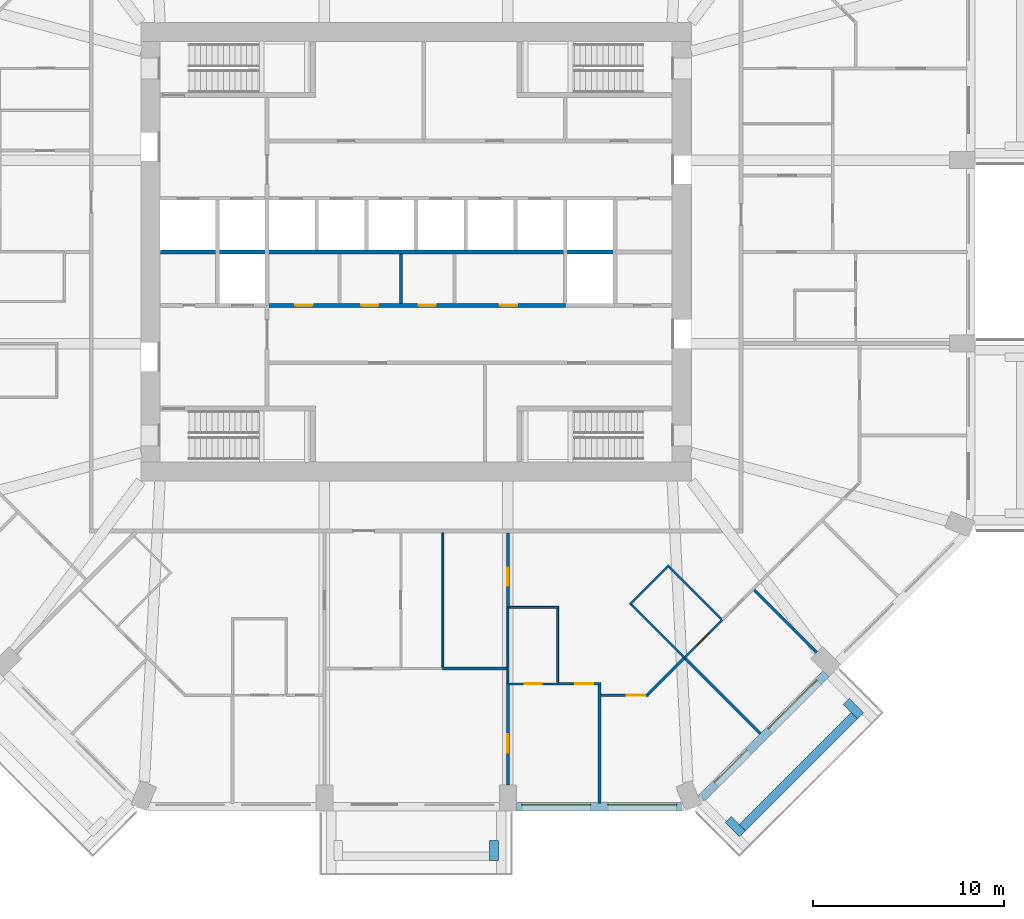
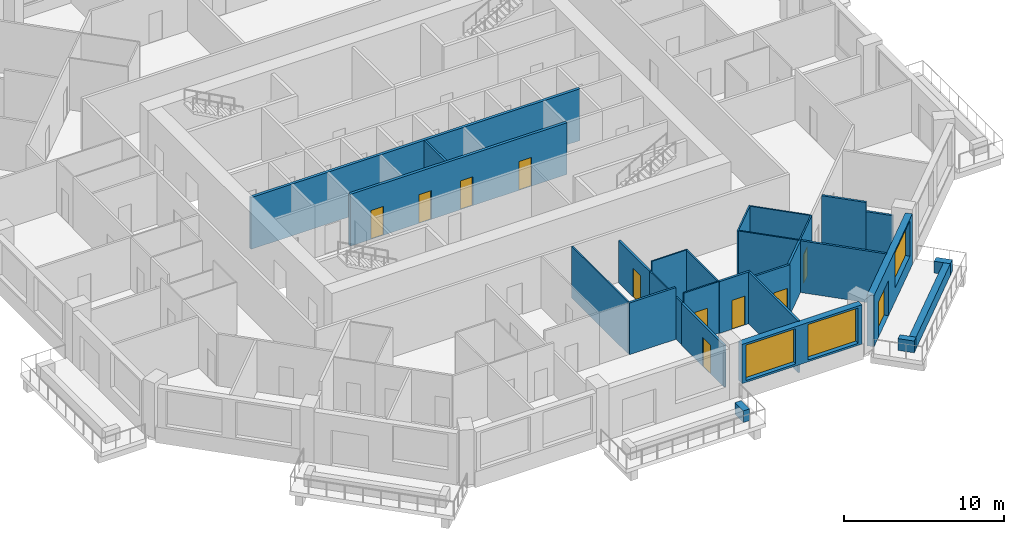
# One storey, part 5 of 13: 28 walls, 11 doors, 3 windows, 14 openings.
"""IFC4 building model written with IfcOpenShell, lengths in metres."""

from ifc_helpers import new_model, si_unit, direction, frame, frame_2d, origin, place, context, subcontext, project, spatial, rectangle, extrude, material, layer, layer_set, type_object, element, fill, save


model = new_model("IFC4")

# Units and contexts
model_context = context("Model", 3, precision=1e-05, world=origin(), true_north=direction((0.0, 1.0)))
body_context = subcontext(model_context, "Body", "Model", "MODEL_VIEW")
ifc_project = project(units=[si_unit("LENGTHUNIT", "METRE"), si_unit("AREAUNIT", "SQUARE_METRE"), si_unit("VOLUMEUNIT", "CUBIC_METRE"), si_unit("PLANEANGLEUNIT", "RADIAN"), si_unit("MASSUNIT", "GRAM", prefix="KILO")], contexts=[model_context])

# Site, building, storey
site_placement = place(None, origin())
site = spatial("IfcSite", under=ifc_project, at=site_placement, CompositionType="ELEMENT")
building_placement = place(site_placement, origin())
building = spatial("IfcBuilding", under=site, at=building_placement, Name="Msitu Wima Residences", CompositionType="ELEMENT")
storey_placement = place(building_placement, frame((0.0, 0.0, 59.10009765625)))
storey = spatial("IfcBuildingStorey", under=building, at=storey_placement, Name="L13", CompositionType="ELEMENT", Elevation=59.10009765625)

# Walls
ifc_material_1 = material(Name="Facing brick")
ifc_layer_1 = layer(ifc_material_1, 0.06494140625, Name="Facing brick")
ifc_material_2 = material(Name="Concrete C40/50", Category="concrete")
ifc_layer_2 = layer(ifc_material_2, 0.156005859375, Name="Concrete C40/50")
ifc_material_3 = material(Name="Waterproofing membrane")
ifc_layer_3 = layer(ifc_material_3, 0.00390625, Name="Waterproofing membrane")
ifc_material_4 = material(Name="Planting soil and planting")
ifc_layer_4 = layer(ifc_material_4, 0.22509765625, Name="Planting soil and planting")
ifc_layer_set_1 = layer_set([ifc_layer_1, ifc_layer_2, ifc_layer_3, ifc_layer_4], Name="Concrete C40/50")
wall_type_1 = type_object("IfcWallType", Name="Balcony planter PLANTER PL450", PredefinedType="USERDEFINED", material=ifc_layer_set_1)
wall_1_placement = place(storey_placement, frame((4.074951171875, -30.800048828125, 0.0), z_axis=(0.0, 0.0, 1.0), x_axis=(0.0, -1.0, 0.0)))
element("IfcWall", 1, at=wall_1_placement, inside=storey, type_object=wall_type_1, Name="Balcony planter S1 L13", ObjectType="PLANTER", PredefinedType="USERDEFINED", context=body_context, shape_type="SweptSolid", body=[
    extrude(rectangle(XDim=1.050048828125, YDim=0.449951171875, at=frame_2d((0.52490234375, 0.0))), origin(), (0.0, 0.0, 1.0), 0.89990234375),
])
wall_2_placement = place(storey_placement, frame((17.0693359375, -30.125732421875, 0.0), z_axis=(0.0, 0.0, 1.0), x_axis=(0.707106781187, 0.707106781187, 0.0)))
element("IfcWall", 2, at=wall_2_placement, inside=storey, type_object=wall_type_1, Name="Balcony planter SE0 L13", ObjectType="PLANTER", PredefinedType="USERDEFINED", context=body_context, shape_type="SweptSolid", body=[
    extrude(rectangle(XDim=8.2822265625, YDim=0.449951171875, at=frame_2d((4.14111328125, 0.0))), origin(), (0.0, 0.0, 1.0), 0.89990234375),
])
for number, where, z_axis, x_axis, name in (
    (3, (16.326904296875, -29.70166015625, 0.0), (0.0, 0.0, 1.0), (0.707106781187, -0.707106781187, 0.0), "Balcony planter SE0 L13"),
    (4, (22.50146484375, -23.52685546875, 0.0), (0.0, 0.0, 1.0), (0.707223014731, -0.706990528533, 0.0), "Balcony planter SE0 L13"),
):
    element("IfcWall", number, at=place(storey_placement, frame(where, z_axis=z_axis, x_axis=x_axis)), inside=storey, type_object=wall_type_1, Name=name, ObjectType="PLANTER", PredefinedType="USERDEFINED", context=body_context, shape_type="SweptSolid", body=[
        extrude(rectangle(XDim=1.050048828125, YDim=0.449951171875, at=frame_2d((0.52490234375, 0.0))), origin(), (0.0, 0.0, 1.0), 0.89990234375),
    ])

# Wall, openings, windows
ifc_material_5 = material(Name="Brick (red buff mix)", Category="masonry")
ifc_layer_5 = layer(ifc_material_5, 0.449951171875)
ifc_layer_set_2 = layer_set([ifc_layer_5], Name="Brick (red buff mix)")
wall_type_2 = type_object("IfcWallType", Name="Brick infill wall BW450", PredefinedType="SOLIDWALL", material=ifc_layer_set_2)
wall_3_placement = place(storey_placement, frame((5.25, -29.02490234375, 0.89990234375), z_axis=(0.0, 0.0, 1.0), x_axis=(1.0, 0.0, 0.0)))
wall_3 = element("IfcWall", 5, at=wall_3_placement, inside=storey, type_object=wall_type_2, Name="Brick infill wall L13 S2", PredefinedType="SOLIDWALL", context=body_context, shape_type="SweptSolid", body=[
    extrude(rectangle(XDim=8.662841796875, YDim=0.449951171875, at=frame_2d((4.33154296875, 0.0))), origin(), (0.0, 0.0, 1.0), 3.0),
])
opening_1_placement = place(wall_3_placement, frame((0.281494140625, 0.0, 0.14990234375)))
opening_1 = element("IfcOpeningElement", 6, at=opening_1_placement, cuts=wall_3, Name="Opening W13-15.019", PredefinedType="OPENING", context=body_context, shape_type="SweptSolid", body=[
    extrude(rectangle(XDim=3.60009765625, YDim=2.699951171875, at=frame_2d((1.800048828125, 1.35009765625))), frame((0.0, 0.23486328125, 0.0), z_axis=(0.0, -1.0, 0.0), x_axis=(1.0, 0.0, 0.0)), (0.0, 0.0, 1.0), 0.469970703125),
])
opening_2_placement = place(wall_3_placement, frame((4.781494140625, 0.0, 0.14990234375)))
opening_2 = element("IfcOpeningElement", 7, at=opening_2_placement, cuts=wall_3, Name="Opening W13-15.020", PredefinedType="OPENING", context=body_context, shape_type="SweptSolid", body=[
    extrude(rectangle(XDim=3.60009765625, YDim=2.699951171875, at=frame_2d((1.800048828125, 1.35009765625))), frame((0.0, 0.23486328125, 0.0), z_axis=(0.0, -1.0, 0.0), x_axis=(1.0, 0.0, 0.0)), (0.0, 0.0, 1.0), 0.469970703125),
])
ifc_material_6 = material(Name="Anodised aluminium, bronze finish, clear low-emissivity double glazing", Category="aluminium")
window_type = type_object("IfcWindowType", Name="Window W3600x2700", PartitioningType="DOUBLE_PANEL_VERTICAL", PredefinedType="WINDOW", material=ifc_material_6)
window_1_placement = place(opening_1_placement, origin())
window_1 = element("IfcWindow", 8, at=window_1_placement, inside=storey, type_object=window_type, Name="Window L13 S2.1", OverallHeight=2.699951171875, OverallWidth=3.60009765625, PartitioningType="SINGLE_PANEL", PredefinedType="WINDOW", context=body_context, shape_type="SweptSolid", body=[
    extrude(rectangle(XDim=3.60009765625, YDim=2.699951171875, at=frame_2d((1.800048828125, 1.35009765625))), frame((0.0, 0.135009765625, 0.0), z_axis=(0.0, -1.0, 0.0), x_axis=(1.0, 0.0, 0.0)), (0.0, 0.0, 1.0), 0.06005859375),
])
fill(opening_1, window_1)
window_2_placement = place(opening_2_placement, origin())
window_2 = element("IfcWindow", 9, at=window_2_placement, inside=storey, type_object=window_type, Name="Window L13 S2.2", OverallHeight=2.699951171875, OverallWidth=3.60009765625, PartitioningType="SINGLE_PANEL", PredefinedType="WINDOW", context=body_context, shape_type="SweptSolid", body=[
    extrude(rectangle(XDim=3.60009765625, YDim=2.699951171875, at=frame_2d((1.800048828125, 1.35009765625))), frame((0.0, 0.135009765625, 0.0), z_axis=(0.0, -1.0, 0.0), x_axis=(1.0, 0.0, 0.0)), (0.0, 0.0, 1.0), 0.06005859375),
])
fill(opening_2, window_2)

# Wall, openings, door, window
wall_4_placement = place(storey_placement, frame((14.903564453125, -28.61474609375, 0.0), z_axis=(0.0, 0.0, 1.0), x_axis=(0.707106781187, 0.707106781187, 0.0)))
wall_4 = element("IfcWall", 10, at=wall_4_placement, inside=storey, type_object=wall_type_2, Name="Brick infill wall L13 SE0", PredefinedType="SOLIDWALL", context=body_context, shape_type="SweptSolid", body=[
    extrude(rectangle(XDim=9.2451171875, YDim=0.449951171875, at=frame_2d((4.62255859375, 0.0))), origin(), (0.0, 0.0, 1.0), 3.89990234375),
])
opening_3_placement = place(wall_4_placement, frame((1.111328125, 0.0, 0.0)))
opening_3 = element("IfcOpeningElement", 11, at=opening_3_placement, cuts=wall_4, Name="Opening D13-15.007", PredefinedType="OPENING", context=body_context, shape_type="SweptSolid", body=[
    extrude(rectangle(XDim=2.39990234375, YDim=2.699951171875, at=frame_2d((1.199951171875, 1.35009765625))), frame((0.0, 0.23486328125, 0.0), z_axis=(0.0, -1.0, 0.0), x_axis=(1.0, 0.0, 0.0)), (0.0, 0.0, 1.0), 0.469970703125),
])
opening_4_placement = place(wall_4_placement, frame((5.072509765625, 0.0, 1.050048828125)))
opening_4 = element("IfcOpeningElement", 12, at=opening_4_placement, cuts=wall_4, Name="Opening W13-15.021", PredefinedType="OPENING", context=body_context, shape_type="SweptSolid", body=[
    extrude(rectangle(XDim=3.60009765625, YDim=2.699951171875, at=frame_2d((1.800048828125, 1.35009765625))), frame((0.0, 0.23486328125, 0.0), z_axis=(0.0, -1.0, 0.0), x_axis=(1.0, 0.0, 0.0)), (0.0, 0.0, 1.0), 0.469970703125),
])
door_type_1 = type_object("IfcDoorType", Name="Balcony door D2400x2700", OperationType="SLIDING_TO_LEFT", PredefinedType="DOOR", material=ifc_material_6)
door_1_placement = place(opening_3_placement, origin())
door_1 = element("IfcDoor", 13, at=door_1_placement, inside=storey, type_object=door_type_1, Name="Balcony door L13 SE0", OperationType="SINGLE_SWING_LEFT", OverallHeight=2.699951171875, OverallWidth=2.39990234375, PredefinedType="DOOR", context=body_context, shape_type="SweptSolid", body=[
    extrude(rectangle(XDim=2.39990234375, YDim=2.699951171875, at=frame_2d((1.199951171875, 1.35009765625))), frame((0.0, 0.1298828125, 0.0), z_axis=(0.0, -1.0, 0.0), x_axis=(1.0, 0.0, 0.0)), (0.0, 0.0, 1.0), 0.050048828125),
])
fill(opening_3, door_1)
window_3_placement = place(opening_4_placement, origin())
window_3 = element("IfcWindow", 14, at=window_3_placement, inside=storey, type_object=window_type, Name="Window L13 SE0.2", OverallHeight=2.699951171875, OverallWidth=3.60009765625, PartitioningType="SINGLE_PANEL", PredefinedType="WINDOW", context=body_context, shape_type="SweptSolid", body=[
    extrude(rectangle(XDim=3.60009765625, YDim=2.699951171875, at=frame_2d((1.800048828125, 1.35009765625))), frame((0.0, 0.135009765625, 0.0), z_axis=(0.0, -1.0, 0.0), x_axis=(1.0, 0.0, 0.0)), (0.0, 0.0, 1.0), 0.06005859375),
])
fill(opening_4, window_3)

# Wall, openings, doors
ifc_material_7 = material(Name="Plaster")
ifc_layer_6 = layer(ifc_material_7, 0.011962890625, Name="Plaster")
ifc_material_8 = material(Name="Concrete blockwork", Category="masonry")
ifc_layer_7 = layer(ifc_material_8, 0.176025390625, Name="Concrete blockwork")
ifc_layer_8 = layer(ifc_material_7, 0.011962890625, Name="Plaster")
ifc_layer_set_3 = layer_set([ifc_layer_6, ifc_layer_7, ifc_layer_8], Name="Concrete blockwork")
wall_type_3 = type_object("IfcWallType", Name="Corridor wall FW200", PredefinedType="PARTITIONING", material=ifc_layer_set_3)
wall_5_placement = place(storey_placement, frame((-7.820068359375, -2.800048828125, 0.0), z_axis=(0.0, 0.0, 1.0), x_axis=(1.0, 0.0, 0.0)))
wall_5 = element("IfcWall", 15, at=wall_5_placement, inside=storey, type_object=wall_type_3, Name="Corridor wall", PredefinedType="PARTITIONING", context=body_context, shape_type="SweptSolid", body=[
    extrude(rectangle(XDim=15.64013671875, YDim=0.199951171875, at=frame_2d((7.820068359375, 0.0))), origin(), (0.0, 0.0, 1.0), 3.949951171875),
])
opening_5_placement = place(wall_5_placement, frame((1.5, 0.0, 0.0)))
opening_5 = element("IfcOpeningElement", 16, at=opening_5_placement, cuts=wall_5, Name="Opening D13-15.028", PredefinedType="OPENING", context=body_context, shape_type="SweptSolid", body=[
    extrude(rectangle(XDim=0.89990234375, YDim=2.199951171875, at=frame_2d((0.449951171875, 1.10009765625))), frame((0.0, 0.10986328125, 0.0), z_axis=(0.0, -1.0, 0.0), x_axis=(1.0, 0.0, 0.0)), (0.0, 0.0, 1.0), 0.219970703125),
])
opening_6_placement = place(wall_5_placement, frame((4.949951171875, 0.0, 0.0)))
opening_6 = element("IfcOpeningElement", 17, at=opening_6_placement, cuts=wall_5, Name="Opening D13-15.029", PredefinedType="OPENING", context=body_context, shape_type="SweptSolid", body=[
    extrude(rectangle(XDim=0.89990234375, YDim=2.199951171875, at=frame_2d((0.449951171875, 1.10009765625))), frame((0.0, 0.10986328125, 0.0), z_axis=(0.0, -1.0, 0.0), x_axis=(1.0, 0.0, 0.0)), (0.0, 0.0, 1.0), 0.219970703125),
])
opening_7_placement = place(wall_5_placement, frame((7.949951171875, 0.0, 0.0)))
opening_7 = element("IfcOpeningElement", 18, at=opening_7_placement, cuts=wall_5, Name="Opening D13-15.030", PredefinedType="OPENING", context=body_context, shape_type="SweptSolid", body=[
    extrude(rectangle(XDim=0.89990234375, YDim=2.199951171875, at=frame_2d((0.449951171875, 1.10009765625))), frame((0.0, 0.10986328125, 0.0), z_axis=(0.0, -1.0, 0.0), x_axis=(1.0, 0.0, 0.0)), (0.0, 0.0, 1.0), 0.219970703125),
])
opening_8_placement = place(wall_5_placement, frame((12.199951171875, 0.0, 0.0)))
opening_8 = element("IfcOpeningElement", 19, at=opening_8_placement, cuts=wall_5, Name="Opening D13-15.031", PredefinedType="OPENING", context=body_context, shape_type="SweptSolid", body=[
    extrude(rectangle(XDim=0.89990234375, YDim=2.199951171875, at=frame_2d((0.449951171875, 1.10009765625))), frame((0.0, 0.10986328125, 0.0), z_axis=(0.0, -1.0, 0.0), x_axis=(1.0, 0.0, 0.0)), (0.0, 0.0, 1.0), 0.219970703125),
])
ifc_material_9 = material(Name="Timber flush door", Category="wood")
door_type_2 = type_object("IfcDoorType", Name="Service door D05 900x2200", OperationType="SINGLE_SWING_LEFT", PredefinedType="DOOR", material=ifc_material_9)
door_2_placement = place(opening_5_placement, origin())
door_2 = element("IfcDoor", 20, at=door_2_placement, inside=storey, type_object=door_type_2, Name="Service door", OperationType="SINGLE_SWING_RIGHT", OverallHeight=2.199951171875, OverallWidth=0.89990234375, PredefinedType="DOOR", context=body_context, shape_type="SweptSolid", body=[
    extrude(rectangle(XDim=0.89990234375, YDim=2.199951171875, at=frame_2d((0.449951171875, 1.10009765625))), frame((0.0, 0.02490234375, 0.0), z_axis=(0.0, -1.0, 0.0), x_axis=(1.0, 0.0, 0.0)), (0.0, 0.0, 1.0), 0.050048828125),
])
fill(opening_5, door_2)
door_3_placement = place(opening_6_placement, origin())
door_3 = element("IfcDoor", 21, at=door_3_placement, inside=storey, type_object=door_type_2, Name="Service door", OperationType="SINGLE_SWING_LEFT", OverallHeight=2.199951171875, OverallWidth=0.89990234375, PredefinedType="DOOR", context=body_context, shape_type="SweptSolid", body=[
    extrude(rectangle(XDim=0.89990234375, YDim=2.199951171875, at=frame_2d((0.449951171875, 1.10009765625))), frame((0.0, 0.02490234375, 0.0), z_axis=(0.0, -1.0, 0.0), x_axis=(1.0, 0.0, 0.0)), (0.0, 0.0, 1.0), 0.050048828125),
])
fill(opening_6, door_3)
door_4_placement = place(opening_7_placement, origin())
door_4 = element("IfcDoor", 22, at=door_4_placement, inside=storey, type_object=door_type_2, Name="Service door", OperationType="SINGLE_SWING_LEFT", OverallHeight=2.199951171875, OverallWidth=0.89990234375, PredefinedType="DOOR", context=body_context, shape_type="SweptSolid", body=[
    extrude(rectangle(XDim=0.89990234375, YDim=2.199951171875, at=frame_2d((0.449951171875, 1.10009765625))), frame((0.0, 0.02490234375, 0.0), z_axis=(0.0, -1.0, 0.0), x_axis=(1.0, 0.0, 0.0)), (0.0, 0.0, 1.0), 0.050048828125),
])
fill(opening_7, door_4)
door_5_placement = place(opening_8_placement, origin())
door_5 = element("IfcDoor", 23, at=door_5_placement, inside=storey, type_object=door_type_2, Name="Service door", OperationType="SINGLE_SWING_LEFT", OverallHeight=2.199951171875, OverallWidth=0.89990234375, PredefinedType="DOOR", context=body_context, shape_type="SweptSolid", body=[
    extrude(rectangle(XDim=0.89990234375, YDim=2.199951171875, at=frame_2d((0.449951171875, 1.10009765625))), frame((0.0, 0.02490234375, 0.0), z_axis=(0.0, -1.0, 0.0), x_axis=(1.0, 0.0, 0.0)), (0.0, 0.0, 1.0), 0.050048828125),
])
fill(opening_8, door_5)

# Walls
ifc_layer_9 = layer(ifc_material_7, 0.011962890625, Name="Plaster")
ifc_layer_10 = layer(ifc_material_8, 0.1259765625, Name="Concrete blockwork")
ifc_layer_11 = layer(ifc_material_7, 0.011962890625, Name="Plaster")
ifc_layer_set_4 = layer_set([ifc_layer_9, ifc_layer_10, ifc_layer_11], Name="Concrete blockwork")
wall_type_4 = type_object("IfcWallType", Name="Partition PW150", PredefinedType="PARTITIONING", material=ifc_layer_set_4)
wall_6_placement = place(storey_placement, frame((-0.800048828125, -2.699951171875, 0.0), z_axis=(0.0, 0.0, 1.0), x_axis=(0.0, 1.0, 0.0)))
element("IfcWall", 24, at=wall_6_placement, inside=storey, type_object=wall_type_4, Name="Partition", PredefinedType="PARTITIONING", context=body_context, shape_type="SweptSolid", body=[
    extrude(rectangle(XDim=2.599853515625, YDim=0.14990234375, at=frame_2d((1.2998046875, 0.0))), origin(), (0.0, 0.0, 1.0), 3.949951171875),
])
wall_7_placement = place(storey_placement, frame((1.3798828125, -21.800048828125, 0.0), z_axis=(0.0, 0.0, 1.0), x_axis=(1.0, 0.0, 0.0)))
element("IfcWall", 25, at=wall_7_placement, inside=storey, type_object=wall_type_4, Name="Partition", PredefinedType="PARTITIONING", context=body_context, shape_type="SweptSolid", body=[
    extrude(rectangle(XDim=3.3701171875, YDim=0.14990234375, at=frame_2d((1.68505859375, 0.0))), origin(), (0.0, 0.0, 1.0), 3.949951171875),
])

# Wall, opening, door
wall_8_placement = place(storey_placement, frame((4.800048828125, -27.89990234375, 0.0), z_axis=(0.0, 0.0, 1.0), x_axis=(0.0, 1.0, 0.0)))
wall_8 = element("IfcWall", 26, at=wall_8_placement, inside=storey, type_object=wall_type_4, Name="Partition", PredefinedType="PARTITIONING", context=body_context, shape_type="SweptSolid", body=[
    extrude(rectangle(XDim=5.31982421875, YDim=0.14990234375, at=frame_2d((2.659912109375, 0.0))), origin(), (0.0, 0.0, 1.0), 3.199951171875),
])
opening_9_placement = place(wall_8_placement, frame((1.699951171875, 0.0, 0.0)))
opening_9 = element("IfcOpeningElement", 27, at=opening_9_placement, cuts=wall_8, Name="Opening D13-15.074", PredefinedType="OPENING", context=body_context, shape_type="SweptSolid", body=[
    extrude(rectangle(XDim=0.949951171875, YDim=2.199951171875, at=frame_2d((0.47509765625, 1.10009765625))), frame((0.0, 0.0849609375, 0.0), z_axis=(0.0, -1.0, 0.0), x_axis=(1.0, 0.0, 0.0)), (0.0, 0.0, 1.0), 0.169921875),
])
door_type_3 = type_object("IfcDoorType", Name="Room door D12 950x2200", OperationType="SINGLE_SWING_LEFT", PredefinedType="DOOR", material=ifc_material_9)
door_6_placement = place(opening_9_placement, origin())
door_6 = element("IfcDoor", 28, at=door_6_placement, inside=storey, type_object=door_type_3, Name="Room door", OperationType="SINGLE_SWING_LEFT", OverallHeight=2.199951171875, OverallWidth=0.949951171875, PredefinedType="DOOR", context=body_context, shape_type="SweptSolid", body=[
    extrude(rectangle(XDim=0.949951171875, YDim=2.199951171875, at=frame_2d((0.47509765625, 1.10009765625))), frame((0.0, 0.02490234375, 0.0), z_axis=(0.0, -1.0, 0.0), x_axis=(1.0, 0.0, 0.0)), (0.0, 0.0, 1.0), 0.050048828125),
])
fill(opening_9, door_6)

wall_9_placement = place(storey_placement, frame((4.800048828125, -18.580078125, 0.0), z_axis=(0.0, 0.0, 1.0), x_axis=(0.0, 1.0, 0.0)))
wall_9 = element("IfcWall", 29, at=wall_9_placement, inside=storey, type_object=wall_type_4, Name="Partition", PredefinedType="PARTITIONING", context=body_context, shape_type="SweptSolid", body=[
    extrude(rectangle(XDim=3.880126953125, YDim=0.14990234375, at=frame_2d((1.93994140625, 0.0))), origin(), (0.0, 0.0, 1.0), 3.199951171875),
])
opening_10_placement = place(wall_9_placement, frame((1.10009765625, 0.0, 0.0)))
opening_10 = element("IfcOpeningElement", 30, at=opening_10_placement, cuts=wall_9, Name="Opening D13-15.080", PredefinedType="OPENING", context=body_context, shape_type="SweptSolid", body=[
    extrude(rectangle(XDim=0.949951171875, YDim=2.199951171875, at=frame_2d((0.47509765625, 1.10009765625))), frame((0.0, 0.0849609375, 0.0), z_axis=(0.0, -1.0, 0.0), x_axis=(1.0, 0.0, 0.0)), (0.0, 0.0, 1.0), 0.169921875),
])
door_7_placement = place(opening_10_placement, origin())
door_7 = element("IfcDoor", 31, at=door_7_placement, inside=storey, type_object=door_type_3, Name="Room door", OperationType="SINGLE_SWING_RIGHT", OverallHeight=2.199951171875, OverallWidth=0.949951171875, PredefinedType="DOOR", context=body_context, shape_type="SweptSolid", body=[
    extrude(rectangle(XDim=0.949951171875, YDim=2.199951171875, at=frame_2d((0.47509765625, 1.10009765625))), frame((0.0, 0.02490234375, 0.0), z_axis=(0.0, -1.0, 0.0), x_axis=(1.0, 0.0, 0.0)), (0.0, 0.0, 1.0), 0.050048828125),
])
fill(opening_10, door_7)

wall_10_placement = place(storey_placement, frame((7.419921875, -22.60009765625, 0.0), z_axis=(0.0, 0.0, 1.0), x_axis=(1.0, 0.0, 0.0)))
wall_10 = element("IfcWall", 32, at=wall_10_placement, inside=storey, type_object=wall_type_4, Name="Partition", PredefinedType="PARTITIONING", context=body_context, shape_type="SweptSolid", body=[
    extrude(rectangle(XDim=2.255126953125, YDim=0.14990234375, at=frame_2d((1.12744140625, 0.0))), origin(), (0.0, 0.0, 1.0), 3.949951171875),
])
opening_11_placement = place(wall_10_placement, frame((0.89990234375, 0.0, 0.0)))
opening_11 = element("IfcOpeningElement", 33, at=opening_11_placement, cuts=wall_10, Name="Opening D13-15.076", PredefinedType="OPENING", context=body_context, shape_type="SweptSolid", body=[
    extrude(rectangle(XDim=0.949951171875, YDim=2.199951171875, at=frame_2d((0.47509765625, 1.10009765625))), frame((0.0, 0.0849609375, 0.0), z_axis=(0.0, -1.0, 0.0), x_axis=(1.0, 0.0, 0.0)), (0.0, 0.0, 1.0), 0.169921875),
])
door_8_placement = place(opening_11_placement, origin())
door_8 = element("IfcDoor", 34, at=door_8_placement, inside=storey, type_object=door_type_3, Name="Room door", OperationType="SINGLE_SWING_LEFT", OverallHeight=2.199951171875, OverallWidth=0.949951171875, PredefinedType="DOOR", context=body_context, shape_type="SweptSolid", body=[
    extrude(rectangle(XDim=0.949951171875, YDim=2.199951171875, at=frame_2d((0.47509765625, 1.10009765625))), frame((0.0, 0.02490234375, 0.0), z_axis=(0.0, -1.0, 0.0), x_axis=(1.0, 0.0, 0.0)), (0.0, 0.0, 1.0), 0.050048828125),
])
fill(opening_11, door_8)

# Wall
wall_11_placement = place(storey_placement, frame((9.60009765625, -28.85498046875, 0.0), z_axis=(0.0, 0.0, 1.0), x_axis=(0.0, 1.0, 0.0)))
element("IfcWall", 35, at=wall_11_placement, inside=storey, type_object=wall_type_4, Name="Partition", PredefinedType="PARTITIONING", context=body_context, shape_type="SweptSolid", body=[
    extrude(rectangle(XDim=6.179931640625, YDim=0.14990234375, at=frame_2d((3.08984375, 0.0))), origin(), (0.0, 0.0, 1.0), 3.949951171875),
])

# Wall, opening, door
wall_12_placement = place(storey_placement, frame((9.675048828125, -23.199951171875, 0.0), z_axis=(0.0, 0.0, 1.0), x_axis=(1.0, 0.0, 0.0)))
wall_12 = element("IfcWall", 36, at=wall_12_placement, inside=storey, type_object=wall_type_4, Name="Partition", PredefinedType="PARTITIONING", context=body_context, shape_type="SweptSolid", body=[
    extrude(rectangle(XDim=2.48046875, YDim=0.14990234375, at=frame_2d((1.240234375, 0.0))), origin(), (0.0, 0.0, 1.0), 3.949951171875),
])
opening_12_placement = place(wall_12_placement, frame((1.35009765625, 0.0, 0.0)))
opening_12 = element("IfcOpeningElement", 37, at=opening_12_placement, cuts=wall_12, Name="Opening D13-15.084", PredefinedType="OPENING", context=body_context, shape_type="SweptSolid", body=[
    extrude(rectangle(XDim=0.949951171875, YDim=2.199951171875, at=frame_2d((0.47509765625, 1.10009765625))), frame((0.0, 0.0849609375, 0.0), z_axis=(0.0, -1.0, 0.0), x_axis=(1.0, 0.0, 0.0)), (0.0, 0.0, 1.0), 0.169921875),
])
door_9_placement = place(opening_12_placement, origin())
door_9 = element("IfcDoor", 38, at=door_9_placement, inside=storey, type_object=door_type_3, Name="Room door", OperationType="SINGLE_SWING_RIGHT", OverallHeight=2.199951171875, OverallWidth=0.949951171875, PredefinedType="DOOR", context=body_context, shape_type="SweptSolid", body=[
    extrude(rectangle(XDim=0.949951171875, YDim=2.199951171875, at=frame_2d((0.47509765625, 1.10009765625))), frame((0.0, 0.02490234375, 0.0), z_axis=(0.0, -1.0, 0.0), x_axis=(1.0, 0.0, 0.0)), (0.0, 0.0, 1.0), 0.050048828125),
])
fill(opening_12, door_9)

# Walls
wall_13_placement = place(storey_placement, frame((12.133544921875, -23.14697265625, 0.0), z_axis=(0.0, 0.0, 1.0), x_axis=(0.707106781187, 0.707106781187, 0.0)))
element("IfcWall", 39, at=wall_13_placement, inside=storey, type_object=wall_type_4, Name="Partition", PredefinedType="PARTITIONING", context=body_context, shape_type="SweptSolid", body=[
    extrude(rectangle(XDim=2.696533203125, YDim=0.14990234375, at=frame_2d((1.34814453125, 0.0))), origin(), (0.0, 0.0, 1.0), 3.949951171875),
])
wall_14_placement = place(storey_placement, frame((14.026123046875, -21.22607421875, 0.0), z_axis=(0.0, 0.0, 1.0), x_axis=(0.707085156134, -0.707128405578, 0.0)))
element("IfcWall", 40, at=wall_14_placement, inside=storey, type_object=wall_type_4, Name="Partition", PredefinedType="PARTITIONING", context=body_context, shape_type="SweptSolid", body=[
    extrude(rectangle(XDim=5.64501953125, YDim=0.14990234375, at=frame_2d((2.822509765625, 0.0))), origin(), (0.0, 0.0, 1.0), 3.949951171875),
])
wall_15_placement = place(storey_placement, frame((17.693115234375, -17.693115234375, 0.0), z_axis=(0.0, 0.0, 1.0), x_axis=(0.707106781187, -0.707106781187, 0.0)))
element("IfcWall", 41, at=wall_15_placement, inside=storey, type_object=wall_type_4, Name="Partition", PredefinedType="PARTITIONING", context=body_context, shape_type="SweptSolid", body=[
    extrude(rectangle(XDim=2.876708984375, YDim=0.14990234375, at=frame_2d((1.4384765625, 0.0))), origin(), (0.0, 0.0, 1.0), 3.949951171875),
])
wall_16_placement = place(storey_placement, frame((19.727294921875, -19.727294921875, 0.0), z_axis=(0.0, 0.0, 1.0), x_axis=(0.707106781187, -0.707106781187, 0.0)))
element("IfcWall", 42, at=wall_16_placement, inside=storey, type_object=wall_type_4, Name="Partition", PredefinedType="PARTITIONING", context=body_context, shape_type="SweptSolid", body=[
    extrude(rectangle(XDim=1.74853515625, YDim=0.14990234375, at=frame_2d((0.874267578125, 0.0))), origin(), (0.0, 0.0, 1.0), 3.25),
])
ifc_material_10 = material(Name="Fire-rated board")
ifc_layer_12 = layer(ifc_material_10, 0.02490234375, Name="Fire-rated board")
ifc_material_11 = material(Name="Light-gauge stud framing with mineral wool")
ifc_layer_13 = layer(ifc_material_11, 0.14990234375, Name="Light-gauge stud framing with mineral wool")
ifc_layer_14 = layer(ifc_material_10, 0.02490234375, Name="Fire-rated board")
ifc_layer_set_5 = layer_set([ifc_layer_12, ifc_layer_13, ifc_layer_14], Name="Light-gauge stud framing with mineral wool")
wall_type_5 = type_object("IfcWallType", Name="Shaft wall SH200", PredefinedType="PARTITIONING", material=ifc_layer_set_5)
wall_17_placement = place(storey_placement, frame((-13.3701171875, 0.0, 0.0), z_axis=(0.0, 0.0, 1.0), x_axis=(1.0, 0.0, 0.0)))
element("IfcWall", 43, at=wall_17_placement, inside=storey, type_object=wall_type_5, Name="Shaft wall", PredefinedType="PARTITIONING", context=body_context, shape_type="SweptSolid", body=[
    extrude(rectangle(XDim=23.77001953125, YDim=0.199951171875, at=frame_2d((11.885009765625, 0.0))), origin(), (0.0, 0.0, 1.0), 3.949951171875),
])
ifc_material_12 = material(Name="Ceramic tiles")
ifc_layer_15 = layer(ifc_material_12, 0.008056640625, Name="Ceramic tiles")
ifc_material_13 = material(Name="Moisture-resistant board")
ifc_layer_16 = layer(ifc_material_13, 0.012451171875, Name="Moisture-resistant board")
ifc_layer_17 = layer(ifc_material_11, 0.06689453125, Name="Light-gauge stud framing with mineral wool")
ifc_layer_18 = layer(ifc_material_13, 0.012451171875, Name="Moisture-resistant board")
ifc_layer_set_6 = layer_set([ifc_layer_15, ifc_layer_16, ifc_layer_17, ifc_layer_18], Name="Light-gauge stud framing with mineral wool")
wall_type_6 = type_object("IfcWallType", Name="Wet wall PW100", PredefinedType="PARTITIONING", material=ifc_layer_set_6)
wall_18_placement = place(storey_placement, frame((1.39990234375, -21.72509765625, 0.0), z_axis=(0.0, 0.0, 1.0), x_axis=(0.0, 1.0, 0.0)))
element("IfcWall", 44, at=wall_18_placement, inside=storey, type_object=wall_type_6, Name="Wet wall", PredefinedType="PARTITIONING", context=body_context, shape_type="SweptSolid", body=[
    extrude(rectangle(XDim=7.025146484375, YDim=0.10009765625, at=frame_2d((3.5126953125, 0.0))), origin(), (0.0, 0.0, 1.0), 3.949951171875),
])
wall_19_placement = place(storey_placement, frame((4.800048828125, -22.580078125, 0.0), z_axis=(0.0, 0.0, 1.0), x_axis=(0.0, 1.0, 0.0)))
element("IfcWall", 45, at=wall_19_placement, inside=storey, type_object=wall_type_6, Name="Wet wall", PredefinedType="PARTITIONING", context=body_context, shape_type="SweptSolid", body=[
    extrude(rectangle(XDim=4.0, YDim=0.10009765625, at=frame_2d((2.0, 0.0))), origin(), (0.0, 0.0, 1.0), 3.199951171875),
])

# Wall, opening, door
wall_20_placement = place(storey_placement, frame((4.875, -22.60009765625, 0.0), z_axis=(0.0, 0.0, 1.0), x_axis=(1.0, 0.0, 0.0)))
wall_20 = element("IfcWall", 46, at=wall_20_placement, inside=storey, type_object=wall_type_6, Name="Wet wall", PredefinedType="PARTITIONING", context=body_context, shape_type="SweptSolid", body=[
    extrude(rectangle(XDim=2.544921875, YDim=0.10009765625, at=frame_2d((1.2724609375, 0.0))), origin(), (0.0, 0.0, 1.0), 3.949951171875),
])
opening_13_placement = place(wall_20_placement, frame((0.800048828125, 0.0, 0.0)))
opening_13 = element("IfcOpeningElement", 47, at=opening_13_placement, cuts=wall_20, Name="Opening D13-15.075", PredefinedType="OPENING", context=body_context, shape_type="SweptSolid", body=[
    extrude(rectangle(XDim=0.89990234375, YDim=2.199951171875, at=frame_2d((0.449951171875, 1.10009765625))), frame((0.0, 0.06005859375, 0.0), z_axis=(0.0, -1.0, 0.0), x_axis=(1.0, 0.0, 0.0)), (0.0, 0.0, 1.0), 0.1201171875),
])
ifc_material_14 = material(Name="Timber flush door, moisture resistant", Category="wood")
door_type_4 = type_object("IfcDoorType", Name="Bathroom door D03 900x2200", OperationType="SINGLE_SWING_LEFT", PredefinedType="DOOR", material=ifc_material_14)
door_10_placement = place(opening_13_placement, origin())
door_10 = element("IfcDoor", 48, at=door_10_placement, inside=storey, type_object=door_type_4, Name="Bathroom door", OperationType="SINGLE_SWING_RIGHT", OverallHeight=2.199951171875, OverallWidth=0.89990234375, PredefinedType="DOOR", context=body_context, shape_type="SweptSolid", body=[
    extrude(rectangle(XDim=0.89990234375, YDim=2.199951171875, at=frame_2d((0.449951171875, 1.10009765625))), frame((0.0, 0.02490234375, 0.0), z_axis=(0.0, -1.0, 0.0), x_axis=(1.0, 0.0, 0.0)), (0.0, 0.0, 1.0), 0.050048828125),
])
fill(opening_13, door_10)

# Walls
wall_21_placement = place(storey_placement, frame((4.875, -18.60009765625, 0.0), z_axis=(0.0, 0.0, 1.0), x_axis=(1.0, 0.0, 0.0)))
element("IfcWall", 49, at=wall_21_placement, inside=storey, type_object=wall_type_6, Name="Wet wall", PredefinedType="PARTITIONING", context=body_context, shape_type="SweptSolid", body=[
    extrude(rectangle(XDim=2.574951171875, YDim=0.10009765625, at=frame_2d((1.28759765625, 0.0))), origin(), (0.0, 0.0, 1.0), 3.949951171875),
])
wall_22_placement = place(storey_placement, frame((7.39990234375, -22.52490234375, 0.0), z_axis=(0.0, 0.0, 1.0), x_axis=(0.0, 1.0, 0.0)))
element("IfcWall", 50, at=wall_22_placement, inside=storey, type_object=wall_type_6, Name="Wet wall", PredefinedType="PARTITIONING", context=body_context, shape_type="SweptSolid", body=[
    extrude(rectangle(XDim=3.875, YDim=0.10009765625, at=frame_2d((1.9375, 0.0))), origin(), (0.0, 0.0, 1.0), 3.949951171875),
])
wall_23_placement = place(storey_placement, frame((11.176513671875, -18.447021484375, 0.0), z_axis=(0.0, 0.0, 1.0), x_axis=(0.707106781187, 0.707106781187, 0.0)))
element("IfcWall", 51, at=wall_23_placement, inside=storey, type_object=wall_type_6, Name="Wet wall", PredefinedType="PARTITIONING", context=body_context, shape_type="SweptSolid", body=[
    extrude(rectangle(XDim=2.89990234375, YDim=0.10009765625, at=frame_2d((1.449951171875, 0.0))), origin(), (0.0, 0.0, 1.0), 3.949951171875),
])
wall_24_placement = place(storey_placement, frame((11.2470703125, -18.447021484375, 0.0), z_axis=(0.0, 0.0, 1.0), x_axis=(0.707106781187, -0.707106781187, 0.0)))
element("IfcWall", 52, at=wall_24_placement, inside=storey, type_object=wall_type_6, Name="Wet wall", PredefinedType="PARTITIONING", context=body_context, shape_type="SweptSolid", body=[
    extrude(rectangle(XDim=3.93017578125, YDim=0.10009765625, at=frame_2d((1.965087890625, 0.0))), origin(), (0.0, 0.0, 1.0), 3.949951171875),
])
wall_25_placement = place(storey_placement, frame((13.22705078125, -16.46728515625, 0.0), z_axis=(0.0, 0.0, 1.0), x_axis=(0.707138080869, -0.707075480118, 0.0)))
element("IfcWall", 53, at=wall_25_placement, inside=storey, type_object=wall_type_6, Name="Wet wall", PredefinedType="PARTITIONING", context=body_context, shape_type="SweptSolid", body=[
    extrude(rectangle(XDim=3.89990234375, YDim=0.10009765625, at=frame_2d((1.949951171875, 0.0))), origin(), (0.0, 0.0, 1.0), 3.949951171875),
])

# Wall, opening, door
wall_26_placement = place(storey_placement, frame((14.040283203125, -21.240234375, 0.0), z_axis=(0.0, 0.0, 1.0), x_axis=(0.707063182409, 0.707150377276, 0.0)))
wall_26 = element("IfcWall", 54, at=wall_26_placement, inside=storey, type_object=wall_type_6, Name="Wet wall", PredefinedType="PARTITIONING", context=body_context, shape_type="SweptSolid", body=[
    extrude(rectangle(XDim=2.800048828125, YDim=0.10009765625, at=frame_2d((1.39990234375, 0.0))), origin(), (0.0, 0.0, 1.0), 3.949951171875),
])
opening_14_placement = place(wall_26_placement, frame((0.949951171875, 0.0, 0.0)))
opening_14 = element("IfcOpeningElement", 55, at=opening_14_placement, cuts=wall_26, Name="Opening D13-15.079", PredefinedType="OPENING", context=body_context, shape_type="SweptSolid", body=[
    extrude(rectangle(XDim=0.89990234375, YDim=2.199951171875, at=frame_2d((0.449951171875, 1.10009765625))), frame((0.0, 0.06005859375, 0.0), z_axis=(0.0, -1.0, 0.0), x_axis=(1.0, 0.0, 0.0)), (0.0, 0.0, 1.0), 0.1201171875),
])
door_11_placement = place(opening_14_placement, origin())
door_11 = element("IfcDoor", 56, at=door_11_placement, inside=storey, type_object=door_type_4, Name="Bathroom door", OperationType="SINGLE_SWING_RIGHT", OverallHeight=2.199951171875, OverallWidth=0.89990234375, PredefinedType="DOOR", context=body_context, shape_type="SweptSolid", body=[
    extrude(rectangle(XDim=0.89990234375, YDim=2.199951171875, at=frame_2d((0.449951171875, 1.10009765625))), frame((0.0, 0.02490234375, 0.0), z_axis=(0.0, -1.0, 0.0), x_axis=(1.0, 0.0, 0.0)), (0.0, 0.0, 1.0), 0.050048828125),
])
fill(opening_14, door_11)

save(model, "model.ifc")
